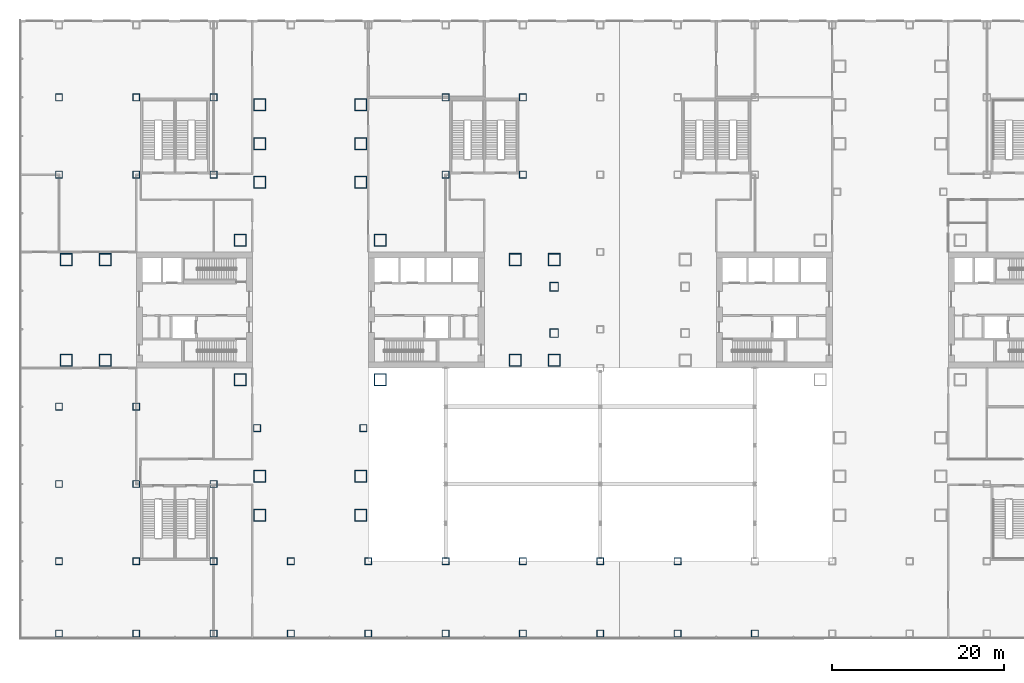
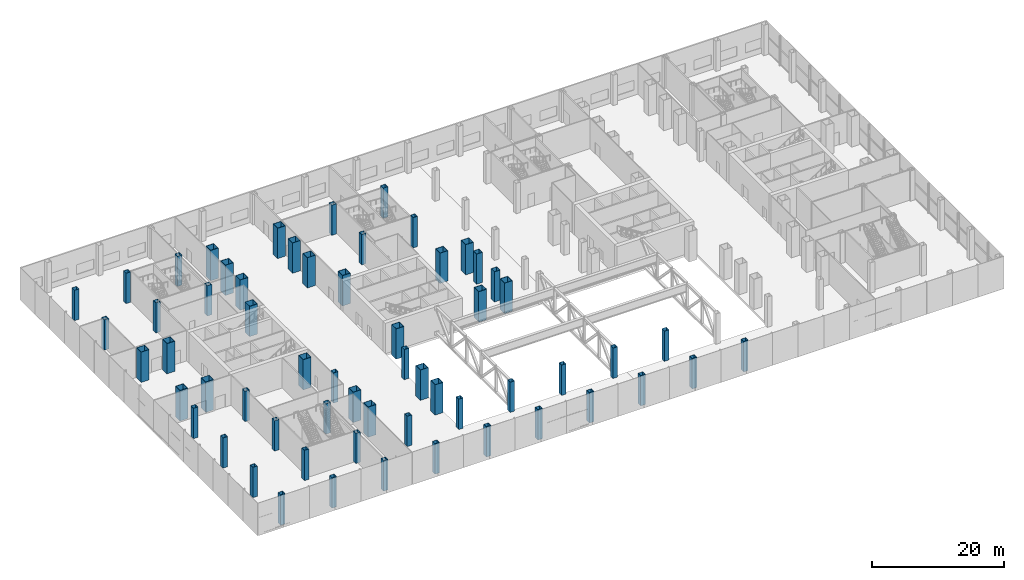
# One storey, part 1 of 33: 60 columns.
"""IFC4 building model written with IfcOpenShell, lengths in metres."""

from ifc_helpers import new_model, si_unit, direction, frame, origin, origin_2d, place, context, subcontext, project, spatial, hollow_rectangle, extrude, material, material_profile, profile_set, type_object, element, save


model = new_model("IFC4")

# Units and contexts
model_context = context("Model", 3, precision=1e-05, world=origin(), true_north=direction((0.0, 1.0)))
body_context = subcontext(model_context, "Body", "Model", "MODEL_VIEW")
ifc_project = project(units=[si_unit("LENGTHUNIT", "METRE"), si_unit("AREAUNIT", "SQUARE_METRE"), si_unit("VOLUMEUNIT", "CUBIC_METRE"), si_unit("PLANEANGLEUNIT", "RADIAN"), si_unit("MASSUNIT", "GRAM", prefix="KILO")], contexts=[model_context])

# Site, building, storey
site_placement = place(None, origin())
site = spatial("IfcSite", under=ifc_project, at=site_placement, CompositionType="ELEMENT")
building_placement = place(site_placement, origin())
building = spatial("IfcBuilding", under=site, at=building_placement, Name="Shamsa Quay Exchange Towers", CompositionType="ELEMENT")
storey_placement = place(building_placement, frame((0.0, 0.0, 6.5)))
storey = spatial("IfcBuildingStorey", under=building, at=storey_placement, Name="L01", CompositionType="ELEMENT", Elevation=6.5)

# Columns
ifc_material_1 = material(Name="Concrete-filled steel tube S355 / C80/95", Category="concrete")
ifc_material_profile_1 = material_profile(ifc_material_1, hollow_rectangle(XDim=1.39990234375, YDim=1.39990234375, WallThickness=0.06005859375, at=origin_2d()), Name="CFT 1400x1400x60")
ifc_profile_set_1 = profile_set([ifc_material_profile_1], Name="Concrete-filled steel tube S355 / C80/95")
column_type_1 = type_object("IfcColumnType", Name="Column CFT 1400x1400x60", PredefinedType="COLUMN", material=ifc_profile_set_1)
for number, where, name in (
    (1, (-25.625, 8.125, 0.0), "Mega column T1-CM01"),
    (2, (-25.625, -8.125, 0.0), "Mega column T1-CM02"),
    (3, (-41.875, 8.125, 0.0), "Mega column T1-CM03"),
    (4, (-41.875, -8.125, 0.0), "Mega column T1-CM04"),
    (5, (-9.875, -5.875, 0.0), "Mega column T1-CM05"),
    (6, (-5.375, -5.875, 0.0), "Mega column T1-CM06"),
    (7, (-9.875, 5.875, 0.0), "Mega column T1-CM07"),
    (8, (-5.375, 5.875, 0.0), "Mega column T1-CM08"),
    (9, (-57.625, -5.875, 0.0), "Mega column T1-CM09"),
    (10, (-62.125, -5.875, 0.0), "Mega column T1-CM10"),
    (11, (-57.625, 5.875, 0.0), "Mega column T1-CM11"),
    (12, (-62.125, 5.875, 0.0), "Mega column T1-CM12"),
    (13, (-39.625, 14.875, 0.0), "Mega column T1-CM13"),
    (14, (-39.625, 19.375, 0.0), "Mega column T1-CM14"),
    (15, (-39.625, 23.875, 0.0), "Mega column T1-CM15"),
    (16, (-27.875, 14.875, 0.0), "Mega column T1-CM16"),
    (17, (-27.875, 19.375, 0.0), "Mega column T1-CM17"),
    (18, (-27.875, 23.875, 0.0), "Mega column T1-CM18"),
    (19, (-39.625, -19.375, 0.0), "Mega column T1-CM20"),
    (20, (-39.625, -23.875, 0.0), "Mega column T1-CM21"),
    (21, (-27.875, -19.375, 0.0), "Mega column T1-CM23"),
    (22, (-27.875, -23.875, 0.0), "Mega column T1-CM24"),
):
    element("IfcColumn", number, at=place(storey_placement, frame(where)), inside=storey, type_object=column_type_1, Name=name, PredefinedType="COLUMN", context=body_context, shape_type="SweptSolid", body=[
        extrude(hollow_rectangle(XDim=1.39990234375, YDim=1.39990234375, WallThickness=0.06005859375, at=origin_2d()), origin(), (0.0, 0.0, 1.0), 5.60009765625),
    ])
ifc_material_2 = material(Name="Concrete-filled steel tube S355 / C60/75", Category="concrete")
ifc_material_profile_2 = material_profile(ifc_material_2, hollow_rectangle(XDim=0.800048828125, YDim=0.800048828125, WallThickness=0.030029296875, at=origin_2d()), Name="CFT 800x800x30")
ifc_profile_set_2 = profile_set([ifc_material_profile_2], Name="Concrete-filled steel tube S355 / C60/75")
column_type_2 = type_object("IfcColumnType", Name="Column CFT 800x800x30", PredefinedType="COLUMN", material=ifc_profile_set_2)
for number, where, name in (
    (23, (-39.9375, -13.75, 0.0), "Perimeter column T1-CP19"),
    (24, (-27.5625, -13.75, 0.0), "Perimeter column T1-CP22"),
    (25, (-63.0, -37.64990234375, 0.0), "Perimeter column PD-C-0630-0382"),
    (26, (-63.0, -29.25, 0.0), "Perimeter column PD-C-0630-0292"),
    (27, (-63.0, -20.25, 0.0), "Perimeter column PD-C-0630-0202"),
    (28, (-63.0, -11.25, 0.0), "Perimeter column PD-C-0630-0112"),
    (29, (-63.0, 15.75, 0.0), "Perimeter column PD-C-0630+0158"),
    (30, (-63.0, 24.75, 0.0), "Perimeter column PD-C-0630+0248"),
    (31, (-54.0, -37.64990234375, 0.0), "Perimeter column PD-C-0540-0382"),
    (32, (-54.0, -29.25, 0.0), "Perimeter column PD-C-0540-0292"),
    (33, (-54.0, -20.25, 0.0), "Perimeter column PD-C-0540-0202"),
    (34, (-54.0, -11.25, 0.0), "Perimeter column PD-C-0540-0112"),
    (35, (-54.0, 15.75, 0.0), "Perimeter column PD-C-0540+0158"),
    (36, (-54.0, 24.75, 0.0), "Perimeter column PD-C-0540+0248"),
    (37, (-45.0, -37.64990234375, 0.0), "Perimeter column PD-C-0450-0382"),
    (38, (-45.0, -29.25, 0.0), "Perimeter column PD-C-0450-0292"),
    (39, (-45.0, -20.25, 0.0), "Perimeter column PD-C-0450-0202"),
    (40, (-45.0, 15.75, 0.0), "Perimeter column PD-C-0450+0158"),
    (41, (-45.0, 24.75, 0.0), "Perimeter column PD-C-0450+0248"),
    (42, (-36.0, -37.64990234375, 0.0), "Perimeter column PD-C-0360-0382"),
    (43, (-36.0, -29.25, 0.0), "Perimeter column PD-C-0360-0292"),
    (44, (-27.0, -37.64990234375, 0.0), "Perimeter column PD-C-0270-0382"),
    (45, (-27.0, -29.25, 0.0), "Perimeter column PD-C-0270-0292"),
    (46, (-18.0, -37.64990234375, 0.0), "Perimeter column PD-C-0180-0382"),
    (47, (-18.0, -29.25, 0.0), "Perimeter column PD-C-0180-0292"),
    (48, (-18.0, 15.75, 0.0), "Perimeter column PD-C-0180+0158"),
    (49, (-18.0, 24.75, 0.0), "Perimeter column PD-C-0180+0248"),
    (50, (-9.0, -37.64990234375, 0.0), "Perimeter column PD-C-0090-0382"),
    (51, (-9.0, -29.25, 0.0), "Perimeter column PD-C-0090-0292"),
    (52, (-9.0, 15.75, 0.0), "Perimeter column PD-C-0090+0158"),
    (53, (-9.0, 24.75, 0.0), "Perimeter column PD-C-0090+0248"),
    (54, (0.0, -37.64990234375, 0.0), "Perimeter column PD-C+0000-0382"),
    (55, (0.0, -29.25, 0.0), "Perimeter column PD-C+0000-0292"),
    (56, (9.0, -37.64990234375, 0.0), "Perimeter column PD-C+0090-0382"),
    (57, (9.0, -29.25, 0.0), "Perimeter column PD-C+0090-0292"),
    (58, (18.0, -37.64990234375, 0.0), "Perimeter column PD-C+0180-0382"),
):
    element("IfcColumn", number, at=place(storey_placement, frame(where)), inside=storey, type_object=column_type_2, Name=name, PredefinedType="COLUMN", context=body_context, shape_type="SweptSolid", body=[
        extrude(hollow_rectangle(XDim=0.800048828125, YDim=0.800048828125, WallThickness=0.030029296875, at=origin_2d()), origin(), (0.0, 0.0, 1.0), 5.60009765625),
    ])
ifc_material_3 = material(Name="Concrete-filled steel tube S355 / C70/85", Category="concrete")
ifc_material_profile_3 = material_profile(ifc_material_3, hollow_rectangle(XDim=1.0, YDim=1.0, WallThickness=0.0400390625, at=origin_2d()), Name="CFT 1000x1000x40")
ifc_profile_set_3 = profile_set([ifc_material_profile_3], Name="Concrete-filled steel tube S355 / C70/85")
column_type_3 = type_object("IfcColumnType", Name="Landing column CFT 1000x1000x40", PredefinedType="COLUMN", material=ifc_profile_set_3)
for number, where, name in (
    (59, (-5.375, -2.699951171875, 0.0), "Landing column T1 S"),
    (60, (-5.375, 2.699951171875, 0.0), "Landing column T1 N"),
):
    element("IfcColumn", number, at=place(storey_placement, frame(where)), inside=storey, type_object=column_type_3, Name=name, PredefinedType="COLUMN", context=body_context, shape_type="SweptSolid", body=[
        extrude(hollow_rectangle(XDim=1.0, YDim=1.0, WallThickness=0.0400390625, at=origin_2d()), origin(), (0.0, 0.0, 1.0), 5.60009765625),
    ])

save(model, "model.ifc")
